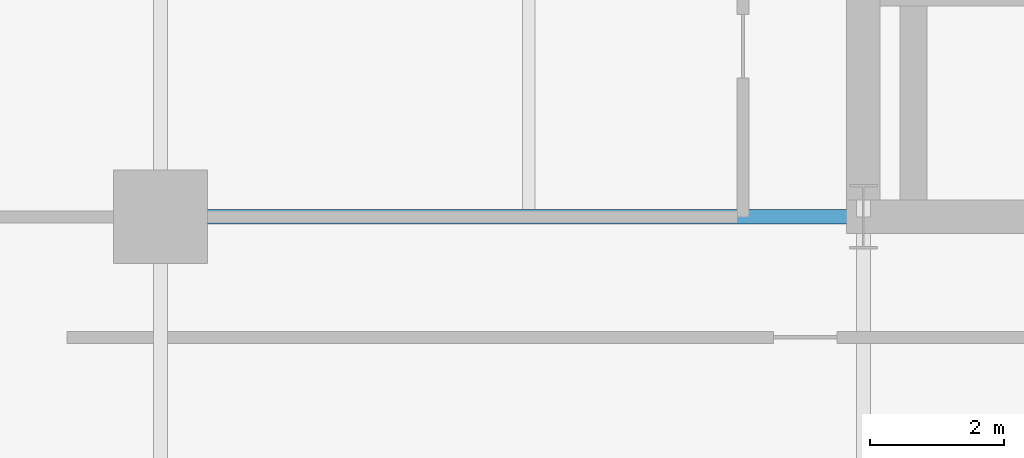
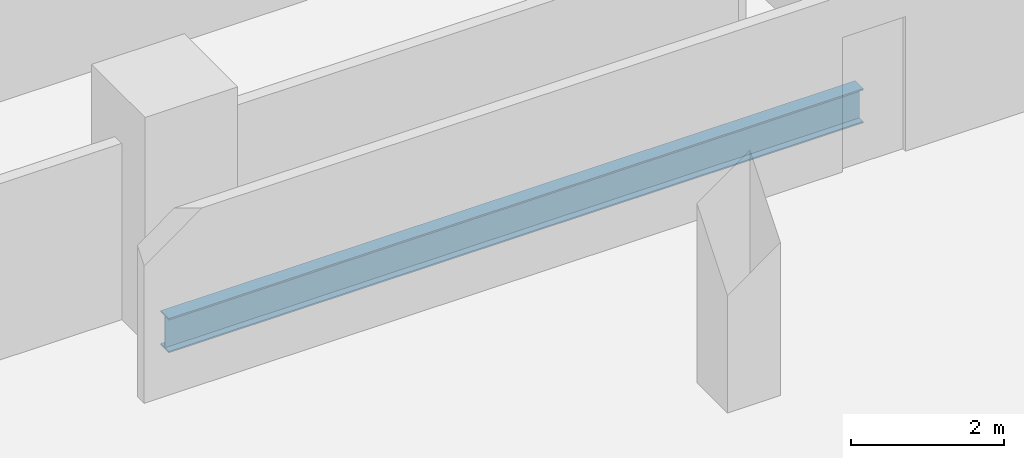
# One storey, part 5 of 21: 1 beam.
"""IFC4 building model written with IfcOpenShell, lengths in metres."""

from ifc_helpers import new_model, si_unit, direction, frame, origin, origin_2d, place, context, subcontext, project, spatial, i_section, extrude, material, material_profile, profile_set, type_object, element, save


model = new_model("IFC4")

# Units and contexts
model_context = context("Model", 3, precision=1e-05, world=origin(), true_north=direction((0.0, 1.0)))
body_context = subcontext(model_context, "Body", "Model", "MODEL_VIEW")
ifc_project = project(units=[si_unit("LENGTHUNIT", "METRE"), si_unit("AREAUNIT", "SQUARE_METRE"), si_unit("VOLUMEUNIT", "CUBIC_METRE"), si_unit("PLANEANGLEUNIT", "RADIAN"), si_unit("MASSUNIT", "GRAM", prefix="KILO")], contexts=[model_context])

# Site, building, storey
site_placement = place(None, origin())
site = spatial("IfcSite", under=ifc_project, at=site_placement, CompositionType="ELEMENT")
building_placement = place(site_placement, origin())
building = spatial("IfcBuilding", under=site, at=building_placement, Name="Barlavira Tower and Art Museum", CompositionType="ELEMENT")
storey_placement = place(building_placement, frame((0.0, 0.0, 86.39990234375)))
storey = spatial("IfcBuildingStorey", under=building, at=storey_placement, Name="L21", CompositionType="ELEMENT", Elevation=86.39990234375)

# Beam
ifc_material = material(Name="Steel S355", Category="steel")
ifc_material_profile = material_profile(ifc_material, i_section(OverallWidth=0.214111328125, OverallDepth=0.549072265625, WebThickness=0.0146484375, FlangeThickness=0.023681640625, at=origin_2d()), Name="W530x138.0")
ifc_profile_set = profile_set([ifc_material_profile], Name="Steel S355")
beam_type = type_object("IfcBeamType", Name="Zone 1 Primary Floor Girder W530x138 Steel S355", PredefinedType="BEAM", material=ifc_profile_set)
beam_placement = place(storey_placement, frame((-17.0, -7.5, -0.494384765625), z_axis=(1.0, 0.0, 0.0), x_axis=(0.0, 1.0, 0.0)))
element("IfcBeam", 1, at=beam_placement, inside=storey, type_object=beam_type, Name="L21 Girder R-W1", PredefinedType="BEAM", context=body_context, shape_type="SweptSolid", body=[
    extrude(i_section(OverallWidth=0.214111328125, OverallDepth=0.549072265625, WebThickness=0.0146484375, FlangeThickness=0.023681640625, at=origin_2d()), origin(), (0.0, 0.0, 1.0), 10.5),
])

save(model, "model.ifc")
